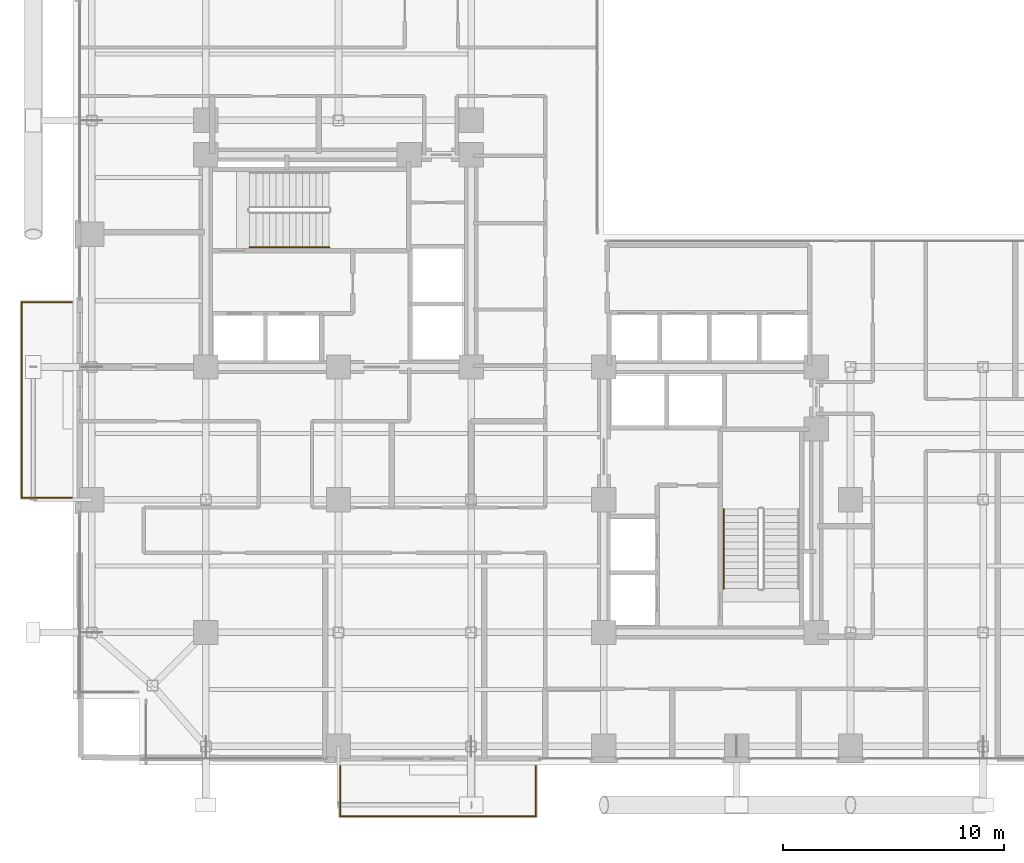
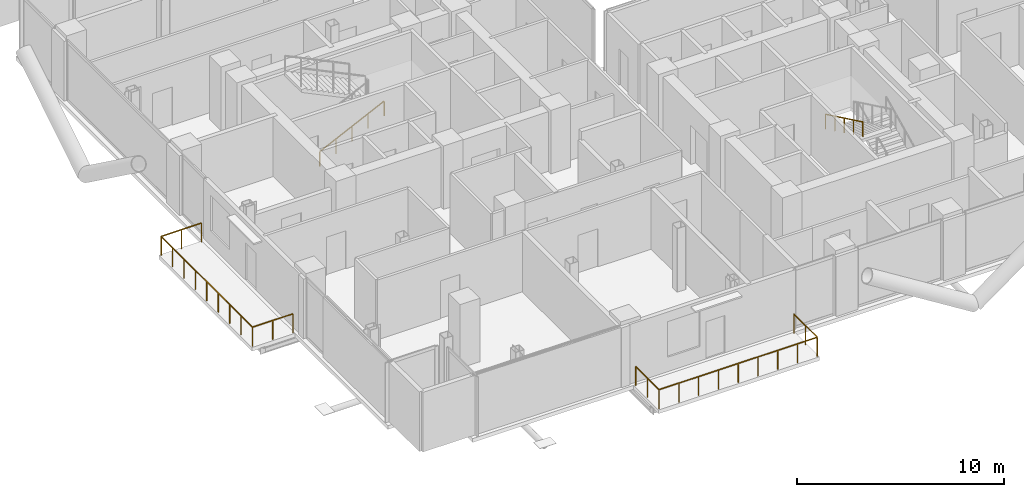
# One storey, part 23 of 24: 4 railings.
"""IFC4 building model written with IfcOpenShell, lengths in metres."""

from ifc_helpers import new_model, si_unit, direction, frame, origin, origin_2d, place, context, subcontext, project, spatial, rectangle, extrude, material, type_object, element, save


model = new_model("IFC4")

# Units and contexts
model_context = context("Model", 3, precision=1e-05, world=origin(), true_north=direction((0.0, 1.0)))
body_context = subcontext(model_context, "Body", "Model", "MODEL_VIEW")
ifc_project = project(units=[si_unit("LENGTHUNIT", "METRE"), si_unit("AREAUNIT", "SQUARE_METRE"), si_unit("VOLUMEUNIT", "CUBIC_METRE"), si_unit("PLANEANGLEUNIT", "RADIAN"), si_unit("MASSUNIT", "GRAM", prefix="KILO"), si_unit("THERMODYNAMICTEMPERATUREUNIT", "KELVIN"), si_unit("POWERUNIT", "WATT")], contexts=[model_context])

# Site, building, storey
site_placement = place(None, origin())
site = spatial("IfcSite", under=ifc_project, at=site_placement, CompositionType="ELEMENT")
building_placement = place(site_placement, origin())
building = spatial("IfcBuilding", under=site, at=building_placement, Name="Svarakhadi Broadcast Tower", CompositionType="ELEMENT")
storey_placement = place(building_placement, frame((0.0, 0.0, 126.89990234375)))
storey = spatial("IfcBuildingStorey", under=building, at=storey_placement, Name="L30", CompositionType="ELEMENT", Elevation=126.89990234375)

# Railings
ifc_material_1 = material(Name="Laminated Structural SentryGlas Balustrade 25.5 mm", Category="glass")
railing_type_1 = type_object("IfcRailingType", Name="Guard_Balcony_GR01", PredefinedType="BALUSTRADE", material=ifc_material_1)
railing_1_placement = place(storey_placement, frame((12.080078125, -0.06005859375, 0.0)))
element("IfcRailing", 1, at=railing_1_placement, inside=storey, type_object=railing_type_1, Name="L30 South Tree Balcony Guard GR-05", PredefinedType="BALUSTRADE", context=body_context, shape_type="SweptSolid", body=[
    extrude(rectangle(XDim=0.048095703125, YDim=0.048095703125, at=origin_2d()), frame((0.0, 0.0, 1.1259765625), z_axis=(0.0, -1.0, 0.0), x_axis=(1.0, 0.0, 0.0)), (0.0, 0.0, 1.0), 2.260009765625),
    extrude(rectangle(XDim=0.048095703125, YDim=0.048095703125, at=origin_2d()), frame((0.0, -2.260009765625, 1.1259765625), z_axis=(1.0, 0.0, 0.0), x_axis=(0.0, 1.0, 0.0)), (0.0, 0.0, 1.0), 8.83984375),
    extrude(rectangle(XDim=0.048095703125, YDim=0.048095703125, at=origin_2d()), frame((8.83984375, -2.260009765625, 1.1259765625), z_axis=(0.0, 1.0, 0.0), x_axis=(-1.0, 0.0, 0.0)), (0.0, 0.0, 1.0), 2.260009765625),
    extrude(rectangle(XDim=0.0419921875, YDim=0.0419921875, at=origin_2d()), origin(), (0.0, 0.0, 1.0), 1.101806640625),
    extrude(rectangle(XDim=0.0419921875, YDim=0.0419921875, at=origin_2d()), frame((0.0, -1.1298828125, 0.0)), (0.0, 0.0, 1.0), 1.101806640625),
    extrude(rectangle(XDim=0.0419921875, YDim=0.0419921875, at=origin_2d()), frame((0.0, -2.260009765625, 0.0)), (0.0, 0.0, 1.0), 1.101806640625),
    extrude(rectangle(XDim=0.0419921875, YDim=0.0419921875, at=origin_2d()), frame((1.10498046875, -2.260009765625, 0.0)), (0.0, 0.0, 1.0), 1.101806640625),
    extrude(rectangle(XDim=0.0419921875, YDim=0.0419921875, at=origin_2d()), frame((2.2099609375, -2.260009765625, 0.0)), (0.0, 0.0, 1.0), 1.101806640625),
    extrude(rectangle(XDim=0.0419921875, YDim=0.0419921875, at=origin_2d()), frame((3.31494140625, -2.260009765625, 0.0)), (0.0, 0.0, 1.0), 1.101806640625),
    extrude(rectangle(XDim=0.0419921875, YDim=0.0419921875, at=origin_2d()), frame((4.419921875, -2.260009765625, 0.0)), (0.0, 0.0, 1.0), 1.101806640625),
    extrude(rectangle(XDim=0.0419921875, YDim=0.0419921875, at=origin_2d()), frame((5.52490234375, -2.260009765625, 0.0)), (0.0, 0.0, 1.0), 1.101806640625),
    extrude(rectangle(XDim=0.0419921875, YDim=0.0419921875, at=origin_2d()), frame((6.6298828125, -2.260009765625, 0.0)), (0.0, 0.0, 1.0), 1.101806640625),
    extrude(rectangle(XDim=0.0419921875, YDim=0.0419921875, at=origin_2d()), frame((7.73486328125, -2.260009765625, 0.0)), (0.0, 0.0, 1.0), 1.101806640625),
    extrude(rectangle(XDim=0.0419921875, YDim=0.0419921875, at=origin_2d()), frame((8.83984375, -2.260009765625, 0.0)), (0.0, 0.0, 1.0), 1.101806640625),
    extrude(rectangle(XDim=0.0419921875, YDim=0.0419921875, at=origin_2d()), frame((8.83984375, -1.1298828125, 0.0)), (0.0, 0.0, 1.0), 1.101806640625),
    extrude(rectangle(XDim=0.0419921875, YDim=0.0419921875, at=origin_2d()), frame((8.83984375, 0.0, 0.0)), (0.0, 0.0, 1.0), 1.101806640625),
])
railing_2_placement = place(storey_placement, frame((-0.06005859375, 12.080078125, 0.0)))
element("IfcRailing", 2, at=railing_2_placement, inside=storey, type_object=railing_type_1, Name="L30 West Tree Balcony Guard GR-05", PredefinedType="BALUSTRADE", context=body_context, shape_type="SweptSolid", body=[
    extrude(rectangle(XDim=0.048095703125, YDim=0.048095703125, at=origin_2d()), frame((0.0, 0.0, 1.1259765625), z_axis=(-1.0, 0.0, 0.0), x_axis=(0.0, -1.0, 0.0)), (0.0, 0.0, 1.0), 2.260009765625),
    extrude(rectangle(XDim=0.048095703125, YDim=0.048095703125, at=origin_2d()), frame((-2.260009765625, 0.0, 1.1259765625), z_axis=(0.0, 1.0, 0.0), x_axis=(-1.0, 0.0, 0.0)), (0.0, 0.0, 1.0), 8.83984375),
    extrude(rectangle(XDim=0.048095703125, YDim=0.048095703125, at=origin_2d()), frame((-2.260009765625, 8.83984375, 1.1259765625), z_axis=(1.0, 0.0, 0.0), x_axis=(0.0, 1.0, 0.0)), (0.0, 0.0, 1.0), 2.260009765625),
    extrude(rectangle(XDim=0.0419921875, YDim=0.0419921875, at=origin_2d()), origin(), (0.0, 0.0, 1.0), 1.101806640625),
    extrude(rectangle(XDim=0.0419921875, YDim=0.0419921875, at=origin_2d()), frame((-1.1298828125, 0.0, 0.0)), (0.0, 0.0, 1.0), 1.101806640625),
    extrude(rectangle(XDim=0.0419921875, YDim=0.0419921875, at=origin_2d()), frame((-2.260009765625, 0.0, 0.0)), (0.0, 0.0, 1.0), 1.101806640625),
    extrude(rectangle(XDim=0.0419921875, YDim=0.0419921875, at=origin_2d()), frame((-2.260009765625, 1.10498046875, 0.0)), (0.0, 0.0, 1.0), 1.101806640625),
    extrude(rectangle(XDim=0.0419921875, YDim=0.0419921875, at=origin_2d()), frame((-2.260009765625, 2.2099609375, 0.0)), (0.0, 0.0, 1.0), 1.101806640625),
    extrude(rectangle(XDim=0.0419921875, YDim=0.0419921875, at=origin_2d()), frame((-2.260009765625, 3.31494140625, 0.0)), (0.0, 0.0, 1.0), 1.101806640625),
    extrude(rectangle(XDim=0.0419921875, YDim=0.0419921875, at=origin_2d()), frame((-2.260009765625, 4.419921875, 0.0)), (0.0, 0.0, 1.0), 1.101806640625),
    extrude(rectangle(XDim=0.0419921875, YDim=0.0419921875, at=origin_2d()), frame((-2.260009765625, 5.52490234375, 0.0)), (0.0, 0.0, 1.0), 1.101806640625),
    extrude(rectangle(XDim=0.0419921875, YDim=0.0419921875, at=origin_2d()), frame((-2.260009765625, 6.6298828125, 0.0)), (0.0, 0.0, 1.0), 1.101806640625),
    extrude(rectangle(XDim=0.0419921875, YDim=0.0419921875, at=origin_2d()), frame((-2.260009765625, 7.73486328125, 0.0)), (0.0, 0.0, 1.0), 1.101806640625),
    extrude(rectangle(XDim=0.0419921875, YDim=0.0419921875, at=origin_2d()), frame((-2.260009765625, 8.83984375, 0.0)), (0.0, 0.0, 1.0), 1.101806640625),
    extrude(rectangle(XDim=0.0419921875, YDim=0.0419921875, at=origin_2d()), frame((-1.1298828125, 8.83984375, 0.0)), (0.0, 0.0, 1.0), 1.101806640625),
    extrude(rectangle(XDim=0.0419921875, YDim=0.0419921875, at=origin_2d()), frame((0.0, 8.83984375, 0.0)), (0.0, 0.0, 1.0), 1.101806640625),
])
ifc_material_2 = material(Name="Anodised Bronze Aluminium AA 6063-T6", Category="aluminium")
railing_type_2 = type_object("IfcRailingType", Name="Handrail_Stair_HR01", PredefinedType="HANDRAIL", material=ifc_material_2)
railing_3_placement = place(storey_placement, frame((7.97998046875, 23.409912109375, 0.144287109375)))
element("IfcRailing", 3, at=railing_3_placement, inside=storey, type_object=railing_type_2, Name="L30 ST-01 stair handrail 1", PredefinedType="HANDRAIL", context=body_context, shape_type="SweptSolid", body=[
    extrude(rectangle(XDim=0.048095703125, YDim=0.048095703125, at=origin_2d()), frame((0.0, 0.0, 0.8759765625), z_axis=(0.901262522062, 0.0, 0.433273431364), x_axis=(0.0, 1.0, 0.0)), (0.0, 0.0, 1.0), 3.994384765625),
    extrude(rectangle(XDim=0.0419921875, YDim=0.0419921875, at=origin_2d()), origin(), (0.0, 0.0, 1.0), 0.851806640625),
    extrude(rectangle(XDim=0.0419921875, YDim=0.0419921875, at=origin_2d()), frame((0.89990234375, 0.0, 0.4326171875)), (0.0, 0.0, 1.0), 0.851806640625),
    extrude(rectangle(XDim=0.0419921875, YDim=0.0419921875, at=origin_2d()), frame((1.800048828125, 0.0, 0.865234375)), (0.0, 0.0, 1.0), 0.851806640625),
    extrude(rectangle(XDim=0.0419921875, YDim=0.0419921875, at=origin_2d()), frame((2.7001953125, 0.0, 1.298095703125)), (0.0, 0.0, 1.0), 0.851806640625),
    extrude(rectangle(XDim=0.0419921875, YDim=0.0419921875, at=origin_2d()), frame((3.60009765625, 0.0, 1.730712890625)), (0.0, 0.0, 1.0), 0.851806640625),
])
railing_4_placement = place(storey_placement, frame((29.409912109375, 11.580078125, 2.019287109375)))
element("IfcRailing", 4, at=railing_4_placement, inside=storey, type_object=railing_type_2, Name="L30 ST-02 stair handrail 2", PredefinedType="HANDRAIL", context=body_context, shape_type="SweptSolid", body=[
    extrude(rectangle(XDim=0.048095703125, YDim=0.048095703125, at=origin_2d()), frame((0.0, 0.0, 0.8759765625), z_axis=(0.0, -0.901262522062, 0.433273431364), x_axis=(1.0, 0.0, 0.0)), (0.0, 0.0, 1.0), 3.994384765625),
    extrude(rectangle(XDim=0.0419921875, YDim=0.0419921875, at=origin_2d()), origin(), (0.0, 0.0, 1.0), 0.851806640625),
    extrude(rectangle(XDim=0.0419921875, YDim=0.0419921875, at=origin_2d()), frame((0.0, -0.89990234375, 0.4326171875)), (0.0, 0.0, 1.0), 0.851806640625),
    extrude(rectangle(XDim=0.0419921875, YDim=0.0419921875, at=origin_2d()), frame((0.0, -1.800048828125, 0.865234375)), (0.0, 0.0, 1.0), 0.851806640625),
    extrude(rectangle(XDim=0.0419921875, YDim=0.0419921875, at=origin_2d()), frame((0.0, -2.7001953125, 1.298095703125)), (0.0, 0.0, 1.0), 0.851806640625),
    extrude(rectangle(XDim=0.0419921875, YDim=0.0419921875, at=origin_2d()), frame((0.0, -3.60009765625, 1.730712890625)), (0.0, 0.0, 1.0), 0.851806640625),
])

save(model, "model.ifc")
